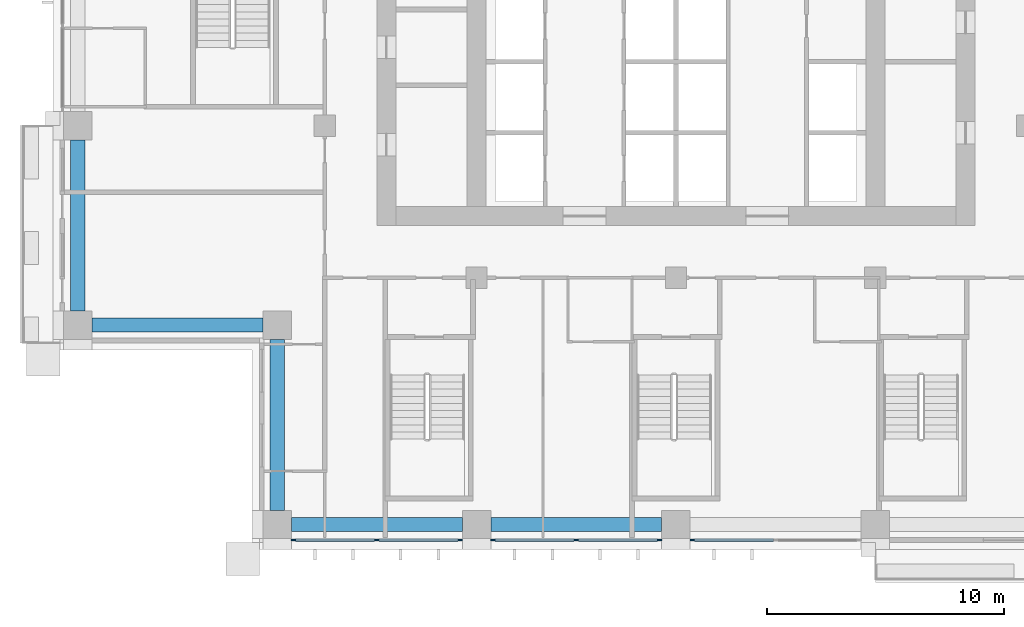
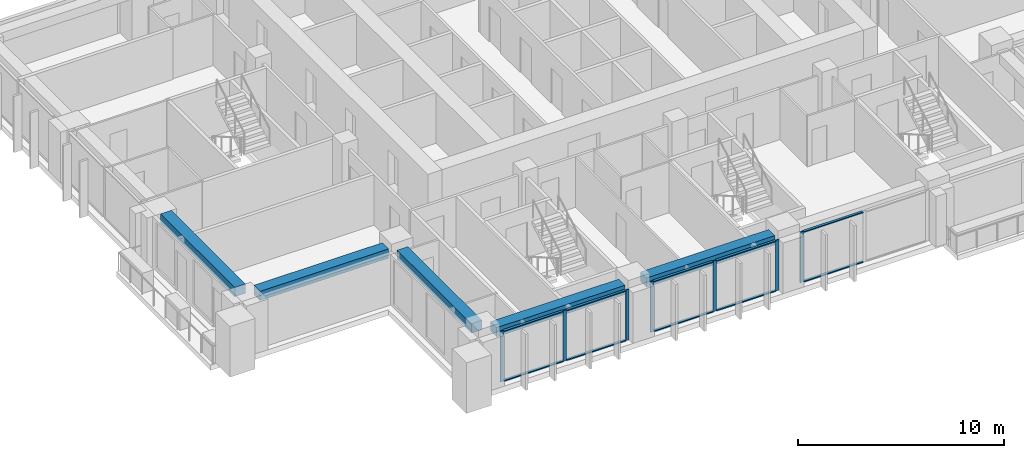
# One storey, part 2 of 21: 17 members, 5 beams, 3 elements without a shape of their own.
"""IFC4 building model written with IfcOpenShell, lengths in metres."""

from ifc_helpers import new_model, si_unit, direction, frame, origin, origin_2d, place, context, subcontext, project, spatial, rectangle, extrude, material, material_profile, profile_set, type_object, element, aggregate, save


model = new_model("IFC4")

# Units and contexts
model_context = context("Model", 3, precision=1e-05, world=origin(), true_north=direction((0.0, 1.0)))
body_context = subcontext(model_context, "Body", "Model", "MODEL_VIEW")
ifc_project = project(units=[si_unit("LENGTHUNIT", "METRE"), si_unit("AREAUNIT", "SQUARE_METRE"), si_unit("VOLUMEUNIT", "CUBIC_METRE"), si_unit("PLANEANGLEUNIT", "RADIAN"), si_unit("MASSUNIT", "GRAM", prefix="KILO")], contexts=[model_context])

# Site, building, storey
site_placement = place(None, origin())
site = spatial("IfcSite", under=ifc_project, at=site_placement, CompositionType="ELEMENT")
building_placement = place(site_placement, origin())
building = spatial("IfcBuilding", under=site, at=building_placement, Name="Vermilion Ogive Tower", CompositionType="ELEMENT")
storey_placement = place(building_placement, frame((0.0, 0.0, 118.35009765625)))
storey = spatial("IfcBuildingStorey", under=building, at=storey_placement, Name="L30", CompositionType="ELEMENT", Elevation=118.35009765625)

# Curtain wall, members
ifc_material_1 = material(Name="Low-iron laminated glazing in aluminium frame", Category="aluminium")
curtain_wall_type = type_object("IfcCurtainWallType", Name="Curtain wall CW7", PredefinedType="NOTDEFINED", material=ifc_material_1)
curtain_wall_1_placement = place(storey_placement, origin())
curtain_wall_1 = element("IfcCurtainWall", 1, at=curtain_wall_1_placement, inside=storey, type_object=curtain_wall_type, Name="Glazed skin S1", PredefinedType="NOTDEFINED")
ifc_material_2 = material(Name="Aluminium mullion", Category="aluminium")
ifc_material_profile_1 = material_profile(ifc_material_2, rectangle(XDim=0.06005859375, YDim=0.179931640625, at=origin_2d()), Name="AL 60x180")
ifc_profile_set_1 = profile_set([ifc_material_profile_1], Name="Aluminium mullion")
member_type_1 = type_object("IfcMemberType", Name="CW7 mullion 60x180", PredefinedType="MULLION", material=ifc_profile_set_1)
member_1_placement = place(storey_placement, frame((-16.110107421875, -21.64990234375, 0.0), z_axis=(0.0, 0.0, 1.0), x_axis=(0.0, 1.0, 0.0)))
member_1 = element("IfcMember", 2, at=member_1_placement, type_object=member_type_1, Name="CW7-S1 mullion 1", PredefinedType="MULLION", context=body_context, shape_type="SweptSolid", body=[
    extrude(rectangle(XDim=0.06005859375, YDim=0.179931640625, at=origin_2d()), origin(), (0.0, 0.0, 1.0), 3.0),
])
member_2_placement = place(storey_placement, frame((-12.60009765625, -21.64990234375, 0.0), z_axis=(0.0, 0.0, 1.0), x_axis=(0.0, 1.0, 0.0)))
member_2 = element("IfcMember", 3, at=member_2_placement, type_object=member_type_1, Name="CW7-S1 mullion 2", PredefinedType="MULLION", context=body_context, shape_type="SweptSolid", body=[
    extrude(rectangle(XDim=0.06005859375, YDim=0.179931640625, at=origin_2d()), origin(), (0.0, 0.0, 1.0), 3.0),
])
member_3_placement = place(storey_placement, frame((-9.090087890625, -21.64990234375, 0.0), z_axis=(0.0, 0.0, 1.0), x_axis=(0.0, 1.0, 0.0)))
member_3 = element("IfcMember", 4, at=member_3_placement, type_object=member_type_1, Name="CW7-S1 mullion 3", PredefinedType="MULLION", context=body_context, shape_type="SweptSolid", body=[
    extrude(rectangle(XDim=0.06005859375, YDim=0.179931640625, at=origin_2d()), origin(), (0.0, 0.0, 1.0), 3.0),
])

curtain_wall_2_placement = place(storey_placement, origin())
curtain_wall_2 = element("IfcCurtainWall", 5, at=curtain_wall_2_placement, inside=storey, type_object=curtain_wall_type, Name="Glazed skin S2", PredefinedType="NOTDEFINED")
member_4_placement = place(storey_placement, frame((-7.7099609375, -21.64990234375, 0.0), z_axis=(0.0, 0.0, 1.0), x_axis=(0.0, 1.0, 0.0)))
member_4 = element("IfcMember", 6, at=member_4_placement, type_object=member_type_1, Name="CW7-S2 mullion 1", PredefinedType="MULLION", context=body_context, shape_type="SweptSolid", body=[
    extrude(rectangle(XDim=0.06005859375, YDim=0.179931640625, at=origin_2d()), origin(), (0.0, 0.0, 1.0), 3.0),
])
member_5_placement = place(storey_placement, frame((-4.199951171875, -21.64990234375, 0.0), z_axis=(0.0, 0.0, 1.0), x_axis=(0.0, 1.0, 0.0)))
member_5 = element("IfcMember", 7, at=member_5_placement, type_object=member_type_1, Name="CW7-S2 mullion 2", PredefinedType="MULLION", context=body_context, shape_type="SweptSolid", body=[
    extrude(rectangle(XDim=0.06005859375, YDim=0.179931640625, at=origin_2d()), origin(), (0.0, 0.0, 1.0), 3.0),
])
member_6_placement = place(storey_placement, frame((-0.68994140625, -21.64990234375, 0.0), z_axis=(0.0, 0.0, 1.0), x_axis=(0.0, 1.0, 0.0)))
member_6 = element("IfcMember", 8, at=member_6_placement, type_object=member_type_1, Name="CW7-S2 mullion 3", PredefinedType="MULLION", context=body_context, shape_type="SweptSolid", body=[
    extrude(rectangle(XDim=0.06005859375, YDim=0.179931640625, at=origin_2d()), origin(), (0.0, 0.0, 1.0), 3.0),
])

# Curtain wall, member
curtain_wall_3_placement = place(storey_placement, origin())
curtain_wall_3 = element("IfcCurtainWall", 9, at=curtain_wall_3_placement, inside=storey, type_object=curtain_wall_type, Name="Glazed skin S3", PredefinedType="NOTDEFINED")
member_7_placement = place(storey_placement, frame((0.68994140625, -21.64990234375, 0.0), z_axis=(0.0, 0.0, 1.0), x_axis=(0.0, 1.0, 0.0)))
member_7 = element("IfcMember", 10, at=member_7_placement, type_object=member_type_1, Name="CW7-S3 mullion 1", PredefinedType="MULLION", context=body_context, shape_type="SweptSolid", body=[
    extrude(rectangle(XDim=0.06005859375, YDim=0.179931640625, at=origin_2d()), origin(), (0.0, 0.0, 1.0), 3.0),
])

# Member
ifc_material_3 = material(Name="Aluminium transom", Category="aluminium")
ifc_material_profile_2 = material_profile(ifc_material_3, rectangle(XDim=0.139892578125, YDim=0.06005859375, at=origin_2d()), Name="AL 60x140")
ifc_profile_set_2 = profile_set([ifc_material_profile_2], Name="Aluminium transom")
member_type_2 = type_object("IfcMemberType", Name="CW7 transom 60x140", PredefinedType="USERDEFINED", material=ifc_profile_set_2)
member_8_placement = place(storey_placement, frame((-16.02001953125, -21.64990234375, 0.02978515625), z_axis=(1.0, 0.0, 0.0), x_axis=(0.0, 1.0, 0.0)))
member_8 = element("IfcMember", 11, at=member_8_placement, type_object=member_type_2, Name="CW7-S1 transom 1.1", ObjectType="TRANSOM", PredefinedType="USERDEFINED", context=body_context, shape_type="SweptSolid", body=[
    extrude(rectangle(XDim=0.139892578125, YDim=0.06005859375, at=origin_2d()), origin(), (0.0, 0.0, 1.0), 3.330078125),
])

member_9_placement = place(storey_placement, frame((-16.02001953125, -21.64990234375, 2.969970703125), z_axis=(1.0, 0.0, 0.0), x_axis=(0.0, 1.0, 0.0)))
member_9 = element("IfcMember", 12, at=member_9_placement, type_object=member_type_2, Name="CW7-S1 transom 1.2", ObjectType="TRANSOM", PredefinedType="USERDEFINED", context=body_context, shape_type="SweptSolid", body=[
    extrude(rectangle(XDim=0.139892578125, YDim=0.06005859375, at=origin_2d()), origin(), (0.0, 0.0, 1.0), 3.330078125),
])

member_10_placement = place(storey_placement, frame((-12.510009765625, -21.64990234375, 0.02978515625), z_axis=(1.0, 0.0, 0.0), x_axis=(0.0, 1.0, 0.0)))
member_10 = element("IfcMember", 13, at=member_10_placement, type_object=member_type_2, Name="CW7-S1 transom 2.1", ObjectType="TRANSOM", PredefinedType="USERDEFINED", context=body_context, shape_type="SweptSolid", body=[
    extrude(rectangle(XDim=0.139892578125, YDim=0.06005859375, at=origin_2d()), origin(), (0.0, 0.0, 1.0), 3.330078125),
])

member_11_placement = place(storey_placement, frame((-12.510009765625, -21.64990234375, 2.969970703125), z_axis=(1.0, 0.0, 0.0), x_axis=(0.0, 1.0, 0.0)))
member_11 = element("IfcMember", 14, at=member_11_placement, type_object=member_type_2, Name="CW7-S1 transom 2.2", ObjectType="TRANSOM", PredefinedType="USERDEFINED", context=body_context, shape_type="SweptSolid", body=[
    extrude(rectangle(XDim=0.139892578125, YDim=0.06005859375, at=origin_2d()), origin(), (0.0, 0.0, 1.0), 3.330078125),
])

aggregate(curtain_wall_1, [member_1, member_2, member_3, member_8, member_9, member_10, member_11])

member_12_placement = place(storey_placement, frame((-7.6201171875, -21.64990234375, 0.02978515625), z_axis=(1.0, 0.0, 0.0), x_axis=(0.0, 1.0, 0.0)))
member_12 = element("IfcMember", 15, at=member_12_placement, type_object=member_type_2, Name="CW7-S2 transom 1.1", ObjectType="TRANSOM", PredefinedType="USERDEFINED", context=body_context, shape_type="SweptSolid", body=[
    extrude(rectangle(XDim=0.139892578125, YDim=0.06005859375, at=origin_2d()), origin(), (0.0, 0.0, 1.0), 3.330078125),
])

member_13_placement = place(storey_placement, frame((-7.6201171875, -21.64990234375, 2.969970703125), z_axis=(1.0, 0.0, 0.0), x_axis=(0.0, 1.0, 0.0)))
member_13 = element("IfcMember", 16, at=member_13_placement, type_object=member_type_2, Name="CW7-S2 transom 1.2", ObjectType="TRANSOM", PredefinedType="USERDEFINED", context=body_context, shape_type="SweptSolid", body=[
    extrude(rectangle(XDim=0.139892578125, YDim=0.06005859375, at=origin_2d()), origin(), (0.0, 0.0, 1.0), 3.330078125),
])

member_14_placement = place(storey_placement, frame((-4.110107421875, -21.64990234375, 0.02978515625), z_axis=(1.0, 0.0, 0.0), x_axis=(0.0, 1.0, 0.0)))
member_14 = element("IfcMember", 17, at=member_14_placement, type_object=member_type_2, Name="CW7-S2 transom 2.1", ObjectType="TRANSOM", PredefinedType="USERDEFINED", context=body_context, shape_type="SweptSolid", body=[
    extrude(rectangle(XDim=0.139892578125, YDim=0.06005859375, at=origin_2d()), origin(), (0.0, 0.0, 1.0), 3.330078125),
])

member_15_placement = place(storey_placement, frame((-4.110107421875, -21.64990234375, 2.969970703125), z_axis=(1.0, 0.0, 0.0), x_axis=(0.0, 1.0, 0.0)))
member_15 = element("IfcMember", 18, at=member_15_placement, type_object=member_type_2, Name="CW7-S2 transom 2.2", ObjectType="TRANSOM", PredefinedType="USERDEFINED", context=body_context, shape_type="SweptSolid", body=[
    extrude(rectangle(XDim=0.139892578125, YDim=0.06005859375, at=origin_2d()), origin(), (0.0, 0.0, 1.0), 3.330078125),
])

aggregate(curtain_wall_2, [member_4, member_5, member_6, member_12, member_13, member_14, member_15])

member_16_placement = place(storey_placement, frame((0.780029296875, -21.64990234375, 0.02978515625), z_axis=(1.0, 0.0, 0.0), x_axis=(0.0, 1.0, 0.0)))
member_16 = element("IfcMember", 19, at=member_16_placement, type_object=member_type_2, Name="CW7-S3 transom 1.1", ObjectType="TRANSOM", PredefinedType="USERDEFINED", context=body_context, shape_type="SweptSolid", body=[
    extrude(rectangle(XDim=0.139892578125, YDim=0.06005859375, at=origin_2d()), origin(), (0.0, 0.0, 1.0), 3.330078125),
])

member_17_placement = place(storey_placement, frame((0.780029296875, -21.64990234375, 2.969970703125), z_axis=(1.0, 0.0, 0.0), x_axis=(0.0, 1.0, 0.0)))
member_17 = element("IfcMember", 20, at=member_17_placement, type_object=member_type_2, Name="CW7-S3 transom 1.2", ObjectType="TRANSOM", PredefinedType="USERDEFINED", context=body_context, shape_type="SweptSolid", body=[
    extrude(rectangle(XDim=0.139892578125, YDim=0.06005859375, at=origin_2d()), origin(), (0.0, 0.0, 1.0), 3.330078125),
])

aggregate(curtain_wall_3, [member_7, member_16, member_17])

# Beams
ifc_material_4 = material(Name="Concrete B45", Category="concrete")
ifc_material_profile_3 = material_profile(ifc_material_4, rectangle(XDim=0.60009765625, YDim=0.550048828125, at=origin_2d()), Name="600 x 550")
ifc_profile_set_3 = profile_set([ifc_material_profile_3], Name="Concrete B45")
beam_type = type_object("IfcBeamType", Name="Edge beam 600 x 550 B45", PredefinedType="BEAM", material=ifc_profile_set_3)
for number, where, z_axis, x_axis, name in (
    (21, (-16.199951171875, -21.0, 2.724853515625), (1.0, 0.0, 0.0), (0.0, 1.0, 0.0), "L30-EB-1"),
    (22, (-7.800048828125, -21.0, 2.724853515625), (1.0, 0.0, 0.0), (0.0, 1.0, 0.0), "L30-EB-2"),
    (23, (-25.199951171875, -4.800048828125, 2.724853515625), (0.0, -1.0, 0.0), (1.0, 0.0, 0.0), "L30-EB-16"),
):
    element("IfcBeam", number, at=place(storey_placement, frame(where, z_axis=z_axis, x_axis=x_axis)), inside=storey, type_object=beam_type, Name=name, PredefinedType="BEAM", context=body_context, shape_type="SweptSolid", body=[
        extrude(rectangle(XDim=0.60009765625, YDim=0.550048828125, at=origin_2d()), origin(), (0.0, 0.0, 1.0), 7.199951171875),
    ])
beam_1_placement = place(storey_placement, frame((-24.60009765625, -12.60009765625, 2.724853515625), z_axis=(1.0, 0.0, 0.0), x_axis=(0.0, 1.0, 0.0)))
element("IfcBeam", 24, at=beam_1_placement, inside=storey, type_object=beam_type, Name="L30-EB-17", PredefinedType="BEAM", context=body_context, shape_type="SweptSolid", body=[
    extrude(rectangle(XDim=0.60009765625, YDim=0.550048828125, at=origin_2d()), origin(), (0.0, 0.0, 1.0), 7.2001953125),
])
beam_2_placement = place(storey_placement, frame((-16.800048828125, -13.199951171875, 2.724853515625), z_axis=(0.0, -1.0, 0.0), x_axis=(1.0, 0.0, 0.0)))
element("IfcBeam", 25, at=beam_2_placement, inside=storey, type_object=beam_type, Name="L30-EB-18", PredefinedType="BEAM", context=body_context, shape_type="SweptSolid", body=[
    extrude(rectangle(XDim=0.60009765625, YDim=0.550048828125, at=origin_2d()), origin(), (0.0, 0.0, 1.0), 7.199951171875),
])

save(model, "model.ifc")
